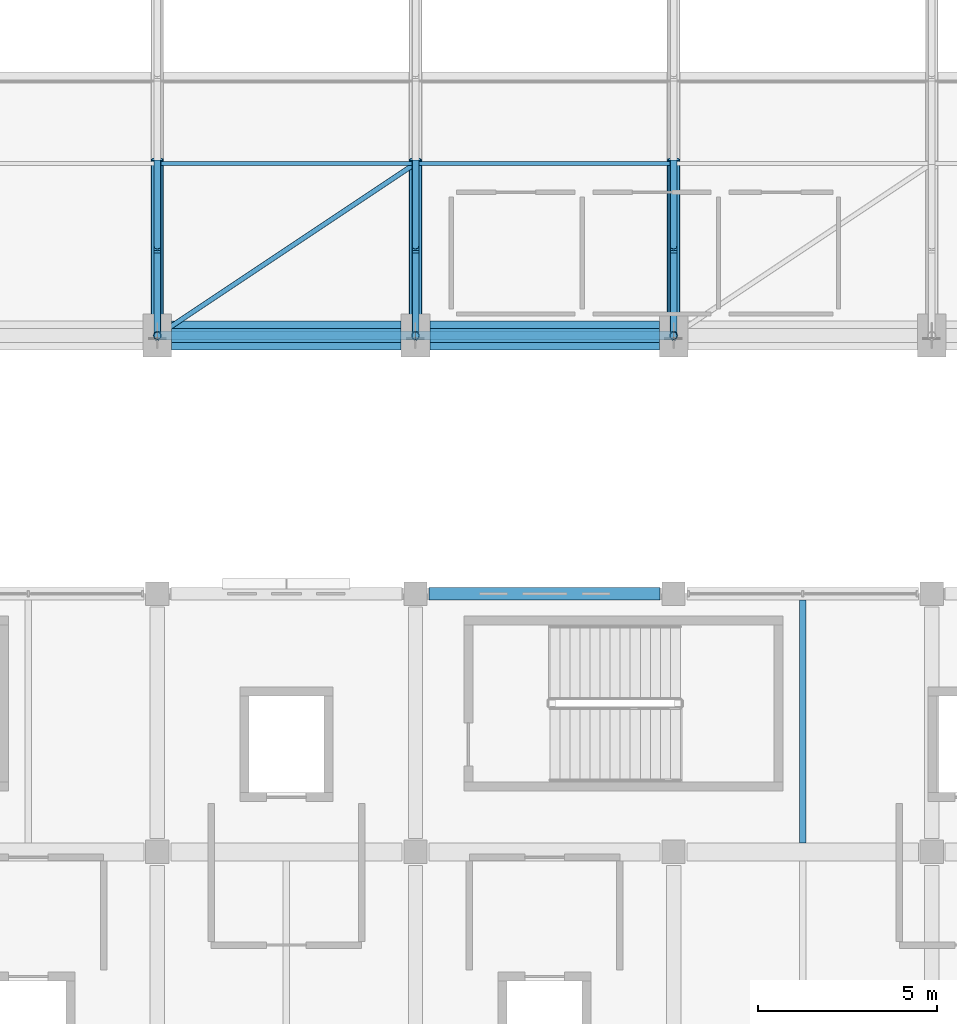
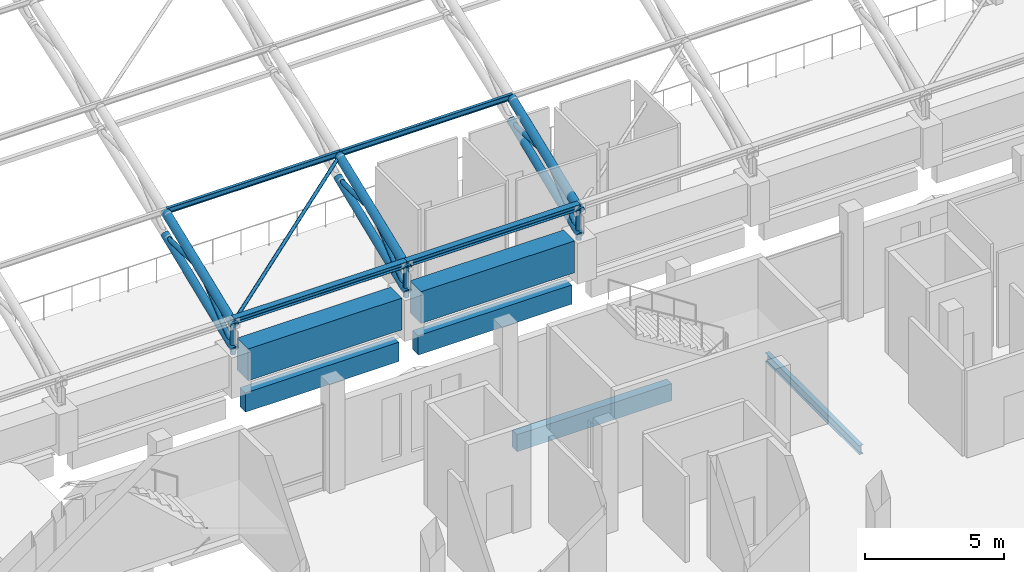
# One storey, part 32 of 116: 20 members, 6 beams.
"""IFC4 building model written with IfcOpenShell, lengths in metres."""

import ifcopenshell
import ifcopenshell.guid

model = None  # the IFC model being written
_history = None  # IfcOwnerHistory: only IFC2X3 demands one
_inside = {}  # id of a spatial element -> (the spatial element, [elements in it])
_under = {}  # id of a project, library or spatial element -> (it, [spatial elements below it])
_declared = {}  # id of a project -> (the project, [libraries it declares])
_typed = {}  # id of a type object -> (the type object, [elements of that type])
_made_of = {}  # id of a material, layer set ... -> (it, [elements and type objects made of it])


def new_model(schema):
    """Start an empty IFC model of exactly this schema.

    Asked for "IFC4X3", IfcOpenShell would pick the latest addendum, in which some entities
    have other attributes; the version numbers below select the first issue.
    IFC2X3 requires an IfcOwnerHistory on every rooted entity: one is made here for all.
    """
    global model, _history
    if schema == "IFC4X3":
        model = ifcopenshell.file(schema_version=(4, 3, 0, 0))
    else:
        model = ifcopenshell.file(schema=schema)
    _inside.clear()
    _under.clear()
    _declared.clear()
    _typed.clear()
    _made_of.clear()
    _history = None
    if model.schema == "IFC2X3":
        org = make("IfcOrganization", Name="unknown")
        user = make(
            "IfcPersonAndOrganization",
            ThePerson=make("IfcPerson", FamilyName="unknown"),
            TheOrganization=org,
        )
        app = make(
            "IfcApplication",
            ApplicationDeveloper=org,
            Version="unknown",
            ApplicationFullName="unknown",
            ApplicationIdentifier="unknown",
        )
        _history = make(
            "IfcOwnerHistory",
            OwningUser=user,
            OwningApplication=app,
            ChangeAction="ADDED",
            CreationDate=0,
        )
    return model


def make(cls, **values):
    """One entity of the class cls with the attributes given. An attribute that is None is left unset."""
    return model.create_entity(
        cls, **{name: value for name, value in values.items() if value is not None}
    )


def rooted(cls, **values):
    """An entity with a GlobalId (a new one), such as an element, a storey or a relation."""
    return make(cls, GlobalId=ifcopenshell.guid.new(), OwnerHistory=_history, **values)


def si_unit(unit_type, name, prefix=None):
    """IfcSIUnit, for example si_unit("LENGTHUNIT", "METRE", prefix="MILLI")."""
    return make("IfcSIUnit", UnitType=unit_type, Prefix=prefix, Name=name)


def assignment(units):
    """IfcUnitAssignment: the units of a project."""
    return None if units is None else make("IfcUnitAssignment", Units=units)


def point(xyz):
    """IfcCartesianPoint."""
    return None if xyz is None else make("IfcCartesianPoint", Coordinates=xyz)


def direction(xyz):
    """IfcDirection."""
    return None if xyz is None else make("IfcDirection", DirectionRatios=xyz)


def frame(location, z_axis=None, x_axis=None):
    """IfcAxis2Placement3D, a coordinate frame: its origin and axes. An axis left out is left unset."""
    return make(
        "IfcAxis2Placement3D",
        Location=point(location),
        Axis=direction(z_axis),
        RefDirection=direction(x_axis),
    )


def frame_2d(location, x_axis=None):
    """IfcAxis2Placement2D, a coordinate frame in the plane: its origin and x axis."""
    return make(
        "IfcAxis2Placement2D", Location=point(location), RefDirection=direction(x_axis)
    )


def origin():
    """The frame at (0, 0, 0) with its axes left unset."""
    return frame((0.0, 0.0, 0.0))


def origin_2d():
    """The frame at (0, 0) in the plane with its x axis left unset."""
    return frame_2d((0.0, 0.0))


def place(relative_to, where):
    """IfcLocalPlacement: puts the frame where relative to a parent placement (None: the world)."""
    return make(
        "IfcLocalPlacement", PlacementRelTo=relative_to, RelativePlacement=where
    )


def context(
    kind, dimensions, precision=None, world=None, true_north=None, identifier=None
):
    """IfcGeometricRepresentationContext, for example the 3D "Model" context."""
    return make(
        "IfcGeometricRepresentationContext",
        ContextIdentifier=identifier,
        ContextType=kind,
        CoordinateSpaceDimension=dimensions,
        Precision=precision,
        WorldCoordinateSystem=world,
        TrueNorth=true_north,
    )


def subcontext(parent, identifier, kind, view, scale=None):
    """IfcGeometricRepresentationSubContext, for example "Body" below "Model"."""
    return make(
        "IfcGeometricRepresentationSubContext",
        ContextIdentifier=identifier,
        ContextType=kind,
        ParentContext=parent,
        TargetScale=scale,
        TargetView=view,
    )


def project(units=None, contexts=None):
    """IfcProject with its units and contexts."""
    return rooted(
        "IfcProject",
        Name="project",
        RepresentationContexts=contexts,
        UnitsInContext=assignment(units),
    )


def spatial(cls, under=None, at=None, **own):
    """A site, building, storey or space (cls), placed at a placement, below another one or the project."""
    s = rooted(cls, ObjectPlacement=at, **own)
    if under is not None:
        _under.setdefault(under.id(), (under, []))[1].append(s)
    return s


def profile(cls, at=None, kind="AREA", **sizes):
    """A parametric profile (cls). Its sizes go by their IFC names, for example OverallWidth=200.0."""
    return make(cls, ProfileType=kind, Position=at, **sizes)


def rectangle(**sizes):
    """IfcRectangleProfileDef."""
    return profile("IfcRectangleProfileDef", **sizes)


def hollow_circle(**sizes):
    """IfcCircleHollowProfileDef."""
    return profile("IfcCircleHollowProfileDef", **sizes)


def i_section(**sizes):
    """IfcIShapeProfileDef."""
    return profile("IfcIShapeProfileDef", **sizes)


def extrude(swept, where, along, depth):
    """IfcExtrudedAreaSolid: the profile swept, set in the frame where, extruded along a direction by depth."""
    return make(
        "IfcExtrudedAreaSolid",
        SweptArea=swept,
        Position=where,
        ExtrudedDirection=direction(along),
        Depth=depth,
    )


def shape(context_of_items, identifier, shape_type, items):
    """IfcShapeRepresentation: the items that make up one representation, for example the "Body"."""
    return make(
        "IfcShapeRepresentation",
        ContextOfItems=context_of_items,
        RepresentationIdentifier=identifier,
        RepresentationType=shape_type,
        Items=items,
    )


def material(Name=None, Category=None):
    """IfcMaterial."""
    return make("IfcMaterial", Name=Name, Category=Category)


def material_profile(
    of_material, cross_section, Name=None, Category=None, Priority=None
):
    """IfcMaterialProfile: a cross section and its material."""
    return make(
        "IfcMaterialProfile",
        Name=Name,
        Material=of_material,
        Profile=cross_section,
        Priority=Priority,
        Category=Category,
    )


def profile_set(profiles, Name=None, composite=None):
    """IfcMaterialProfileSet."""
    return make(
        "IfcMaterialProfileSet",
        Name=Name,
        MaterialProfiles=profiles,
        CompositeProfile=composite,
    )


def made_of(thing, what):
    """Note that an element or type object is made of a material, layer set ...; save() writes the relation."""
    if what is not None:
        _made_of.setdefault(what.id(), (what, []))[1].append(thing)
    return thing


def type_object(cls, material=None, **own):
    """A type object (cls), such as IfcWallType, which elements share."""
    return made_of(rooted(cls, **own), material)


def element(
    cls,
    number,
    at=None,
    inside=None,
    cuts=None,
    type_object=None,
    material=None,
    context=None,
    identifier="Body",
    shape_type=None,
    held_by="IfcProductDefinitionShape",
    body=None,
    shapes=None,
    **own,
):
    """One element of the class cls, such as IfcWall. Its Tag is "e" and its number.

    at: its placement. inside: the storey or other place that contains it. cuts: it is an
    opening in that element (IfcRelVoidsElement). A single representation is given by context,
    identifier, shape_type and body (its items); several are given by shapes. held_by: the class
    of the entity that holds the representations. save() writes the other relations.
    """
    e = rooted(cls, Tag="e%d" % number, ObjectPlacement=at, **own)
    if body is not None:
        shapes = [shape(context, identifier, shape_type, body)]
    if shapes is not None:
        e.Representation = make(held_by, Representations=shapes)
    if inside is not None:
        _inside.setdefault(inside.id(), (inside, []))[1].append(e)
    if cuts is not None:
        rooted(
            "IfcRelVoidsElement", RelatingBuildingElement=cuts, RelatedOpeningElement=e
        )
    if type_object is not None:
        _typed.setdefault(type_object.id(), (type_object, []))[1].append(e)
    return made_of(e, material)


def aggregate(whole, parts):
    """IfcRelAggregates: a whole, such as a stair, and the parts it consists of."""
    return rooted("IfcRelAggregates", RelatingObject=whole, RelatedObjects=parts)


def save(model, path):
    """Write the relations noted so far, then the file.

    IfcRelAggregates (storeys below a building ...), IfcRelContainedInSpatialStructure (elements
    in a storey), IfcRelDefinesByType, IfcRelAssociatesMaterial and IfcRelDeclares: one each for
    every whole, place, type object, material and project.
    """
    for whole, parts in _under.values():
        aggregate(whole, parts)
    for where, things in _inside.values():
        rooted(
            "IfcRelContainedInSpatialStructure",
            RelatedElements=things,
            RelatingStructure=where,
        )
    for kind, things in _typed.values():
        rooted("IfcRelDefinesByType", RelatedObjects=things, RelatingType=kind)
    for what, things in _made_of.values():
        rooted("IfcRelAssociatesMaterial", RelatedObjects=things, RelatingMaterial=what)
    for by, libraries in _declared.values():
        rooted("IfcRelDeclares", RelatingContext=by, RelatedDefinitions=libraries)
    model.write(path)


model = new_model("IFC4")

# Units and contexts
model_context = context("Model", 3, precision=1e-05, world=origin(), true_north=direction((0.0, 1.0)))
body_context = subcontext(model_context, "Body", "Model", "MODEL_VIEW")
ifc_project = project(units=[si_unit("LENGTHUNIT", "METRE"), si_unit("AREAUNIT", "SQUARE_METRE"), si_unit("VOLUMEUNIT", "CUBIC_METRE"), si_unit("PLANEANGLEUNIT", "RADIAN"), si_unit("MASSUNIT", "GRAM", prefix="KILO")], contexts=[model_context])

# Site, building, storey
site_placement = place(None, origin())
site = spatial("IfcSite", under=ifc_project, at=site_placement, CompositionType="ELEMENT")
building_placement = place(site_placement, origin())
building = spatial("IfcBuilding", under=site, at=building_placement, Name="Cendralis Lancet Convention Centre", CompositionType="ELEMENT")
storey_placement = place(building_placement, frame((0.0, 0.0, 15.0)))
storey = spatial("IfcBuildingStorey", under=building, at=storey_placement, Name="L03", CompositionType="ELEMENT", Elevation=15.0)

# Beams
ifc_material_1 = material(Name="Concrete G40 (C40/50)", Category="concrete")
ifc_material_profile_1 = material_profile(ifc_material_1, rectangle(XDim=0.800048828125, YDim=1.39990234375, at=origin_2d()), Name="RCB 800x1400")
ifc_profile_set_1 = profile_set([ifc_material_profile_1], Name="Concrete G40 (C40/50)")
beam_type_1 = type_object("IfcBeamType", Name="STR-BM-BG17", PredefinedType="BEAM", material=ifc_profile_set_1)
for number, where, z_axis, x_axis, name in (
    (1, (161.199951171875, 43.199951171875, 1.10009765625), (1.0, 0.0, 0.0), (0.0, 1.0, 0.0), "L03 Beam BG17 #1562"),
    (2, (168.39990234375, 43.199951171875, 1.10009765625), (1.0, 0.0, 0.0), (0.0, 1.0, 0.0), "L03 Beam BG17 #1563"),
):
    element("IfcBeam", number, at=place(storey_placement, frame(where, z_axis=z_axis, x_axis=x_axis)), inside=storey, type_object=beam_type_1, Name=name, PredefinedType="BEAM", context=body_context, shape_type="SweptSolid", body=[
        extrude(rectangle(XDim=0.800048828125, YDim=1.39990234375, at=origin_2d()), origin(), (0.0, 0.0, 1.0), 6.400146484375),
    ])

# Member
ifc_material_2 = material(Name="Steel S355", Category="steel")
ifc_material_profile_2 = material_profile(ifc_material_2, hollow_circle(Radius=0.06982421875, WallThickness=0.00634765625, at=origin_2d()), Name="CHS 139.7x6.3")
ifc_profile_set_2 = profile_set([ifc_material_profile_2], Name="Steel S355")
member_type_1 = type_object("IfcMemberType", Name="STR-BR-RB02", PredefinedType="BRACE", material=ifc_profile_set_2)
member_1_placement = place(storey_placement, frame((160.800048828125, 43.199951171875, 2.85009765625), z_axis=(0.812601866984, 0.541743762733, 0.214923012528), x_axis=(-0.554706707029, 0.832045953765, 0.0)))
element("IfcMember", 3, at=member_1_placement, inside=storey, type_object=member_type_1, Name="Roof Diaphragm Brace RB02 V2-03-00A", PredefinedType="BRACE", context=body_context, shape_type="SweptSolid", body=[
    extrude(hollow_circle(Radius=0.06982421875, WallThickness=0.00634765625, at=origin_2d()), origin(), (0.0, 0.0, 1.0), 8.8603515625),
])

# Beam
ifc_material_profile_3 = material_profile(ifc_material_2, i_section(OverallWidth=0.179931640625, OverallDepth=0.39990234375, WebThickness=0.008544921875, FlangeThickness=0.013427734375, FilletRadius=0.02099609375, at=origin_2d()), Name="IPE 400")
ifc_profile_set_3 = profile_set([ifc_material_profile_3], Name="Steel S355")
beam_type_2 = type_object("IfcBeamType", Name="STR-JS-BJ08", PredefinedType="JOIST", material=ifc_profile_set_3)
beam_1_placement = place(storey_placement, frame((178.800048828125, 29.050048828125, -0.4599609375), z_axis=(0.0, 1.0, 0.0), x_axis=(-1.0, 0.0, 0.0)))
element("IfcBeam", 4, at=beam_1_placement, inside=storey, type_object=beam_type_2, Name="L03 Beam BJ08 #0493", PredefinedType="JOIST", context=body_context, shape_type="SweptSolid", body=[
    extrude(i_section(OverallWidth=0.179931640625, OverallDepth=0.39990234375, WebThickness=0.008544921875, FlangeThickness=0.013427734375, FilletRadius=0.02099609375, at=origin_2d()), origin(), (0.0, 0.0, 1.0), 6.77490234375),
])

# Members
ifc_material_profile_4 = material_profile(ifc_material_2, i_section(OverallWidth=0.1201171875, OverallDepth=0.239990234375, WebThickness=0.006103515625, FlangeThickness=0.009765625, FilletRadius=0.014892578125, at=origin_2d()), Name="IPE 240")
ifc_profile_set_4 = profile_set([ifc_material_profile_4], Name="Steel S355")
member_type_2 = type_object("IfcMemberType", Name="STR-PR-PR02", PredefinedType="PURLIN", material=ifc_profile_set_4)
for number, where, z_axis, x_axis, name in (
    (5, (160.800048828125, 48.0, 4.884521484375), (1.0, 0.0, 0.0), (0.0, 1.0, 0.0), "Vault Roof Purlin PR02 V2-03-01"),
    (6, (168.0, 48.0, 4.884521484375), (1.0, 0.0, 0.0), (0.0, 1.0, 0.0), "Vault Roof Purlin PR02 V2-04-01"),
):
    element("IfcMember", number, at=place(storey_placement, frame(where, z_axis=z_axis, x_axis=x_axis)), inside=storey, type_object=member_type_2, Name=name, PredefinedType="PURLIN", context=body_context, shape_type="SweptSolid", body=[
        extrude(i_section(OverallWidth=0.1201171875, OverallDepth=0.239990234375, WebThickness=0.006103515625, FlangeThickness=0.009765625, FilletRadius=0.014892578125, at=origin_2d()), origin(), (0.0, 0.0, 1.0), 7.199951171875),
    ])
ifc_material_profile_5 = material_profile(ifc_material_2, i_section(OverallWidth=0.260009765625, OverallDepth=0.25, WebThickness=0.007568359375, FlangeThickness=0.012451171875, FilletRadius=0.02392578125, at=origin_2d()), Name="HEA 260")
ifc_profile_set_5 = profile_set([ifc_material_profile_5], Name="Steel S355")
member_type_3 = type_object("IfcMemberType", Name="STR-PR-PR07", PredefinedType="PURLIN", material=ifc_profile_set_5)
for number, where, z_axis, x_axis, name in (
    (7, (160.800048828125, 43.199951171875, 2.97509765625), (1.0, 0.0, 0.0), (0.0, 1.0, 0.0), "Vault Roof Purlin PR07 V2-03-00"),
    (8, (168.0, 43.199951171875, 2.97509765625), (1.0, 0.0, 0.0), (0.0, 1.0, 0.0), "Vault Roof Purlin PR07 V2-04-00"),
):
    element("IfcMember", number, at=place(storey_placement, frame(where, z_axis=z_axis, x_axis=x_axis)), inside=storey, type_object=member_type_3, Name=name, PredefinedType="PURLIN", context=body_context, shape_type="SweptSolid", body=[
        extrude(i_section(OverallWidth=0.260009765625, OverallDepth=0.25, WebThickness=0.007568359375, FlangeThickness=0.012451171875, FilletRadius=0.02392578125, at=origin_2d()), origin(), (0.0, 0.0, 1.0), 7.199951171875),
    ])

# Beams
ifc_material_profile_6 = material_profile(ifc_material_1, rectangle(XDim=0.35009765625, YDim=0.75, at=origin_2d()), Name="RCB 350x750")
ifc_profile_set_6 = profile_set([ifc_material_profile_6], Name="Concrete G40 (C40/50)")
beam_type_3 = type_object("IfcBeamType", Name="STR-SP-SP01", PredefinedType="SPANDREL", material=ifc_profile_set_6)
beam_2_placement = place(storey_placement, frame((168.375, 36.0, -0.635009765625), z_axis=(1.0, 0.0, 0.0), x_axis=(0.0, 1.0, 0.0)))
element("IfcBeam", 9, at=beam_2_placement, inside=storey, type_object=beam_type_3, Name="L03 Beam SP01 #0424", PredefinedType="SPANDREL", context=body_context, shape_type="SweptSolid", body=[
    extrude(rectangle(XDim=0.35009765625, YDim=0.75, at=origin_2d()), origin(), (0.0, 0.0, 1.0), 6.449951171875),
])
ifc_material_profile_7 = material_profile(ifc_material_1, rectangle(XDim=0.39990234375, YDim=0.85009765625, at=origin_2d()), Name="RCB 400x850")
ifc_profile_set_7 = profile_set([ifc_material_profile_7], Name="Concrete G40 (C40/50)")
beam_type_4 = type_object("IfcBeamType", Name="STR-SP-SP02", PredefinedType="SPANDREL", material=ifc_profile_set_7)
for number, where, z_axis, x_axis, name in (
    (10, (161.199951171875, 43.199951171875, -0.68505859375), (1.0, 0.0, 0.0), (0.0, 1.0, 0.0), "L03 Beam SP02 #1507"),
    (11, (168.39990234375, 43.199951171875, -0.68505859375), (1.0, 0.0, 0.0), (0.0, 1.0, 0.0), "L03 Beam SP02 #1508"),
):
    element("IfcBeam", number, at=place(storey_placement, frame(where, z_axis=z_axis, x_axis=x_axis)), inside=storey, type_object=beam_type_4, Name=name, PredefinedType="SPANDREL", context=body_context, shape_type="SweptSolid", body=[
        extrude(rectangle(XDim=0.39990234375, YDim=0.85009765625, at=origin_2d()), origin(), (0.0, 0.0, 1.0), 6.400146484375),
    ])

# Members
ifc_material_profile_8 = material_profile(ifc_material_2, hollow_circle(Radius=0.161865234375, WallThickness=0.01416015625, at=origin_2d()), Name="CHS 323.9x14.2")
ifc_profile_set_8 = profile_set([ifc_material_profile_8], Name="Steel S355")
member_type_4 = type_object("IfcMemberType", Name="STR-TR-BC02-INT", PredefinedType="CHORD", material=ifc_profile_set_8)
for number, where, z_axis, x_axis, name in (
    (12, (160.800048828125, 43.088623046875, 1.755126953125), (0.0, 0.927278249077, 0.374372874002), (-1.0, 0.0, 0.0), "ROOF TRUSS AT-V2-04 Bottom Chord 00"),
    (13, (168.0, 43.088623046875, 1.755126953125), (0.0, 0.927278249077, 0.374372874002), (-1.0, 0.0, 0.0), "ROOF TRUSS AT-V2-05 Bottom Chord 00"),
    (14, (175.199951171875, 43.088623046875, 1.755126953125), (0.0, 0.927278249077, 0.374372874002), (-1.0, 0.0, 0.0), "ROOF TRUSS AT-V2-06 Bottom Chord 00"),
):
    element("IfcMember", number, at=place(storey_placement, frame(where, z_axis=z_axis, x_axis=x_axis)), inside=storey, type_object=member_type_4, Name=name, PredefinedType="CHORD", context=body_context, shape_type="SweptSolid", body=[
        extrude(hollow_circle(Radius=0.161865234375, WallThickness=0.01416015625, at=origin_2d()), origin(), (0.0, 0.0, 1.0), 5.41650390625),
    ])
ifc_material_profile_9 = material_profile(ifc_material_2, hollow_circle(Radius=0.177734375, WallThickness=0.01611328125, at=origin_2d()), Name="CHS 355.6x16.0")
ifc_profile_set_9 = profile_set([ifc_material_profile_9], Name="Steel S355")
member_type_5 = type_object("IfcMemberType", Name="STR-TR-TC02-INT", PredefinedType="CHORD", material=ifc_profile_set_9)
for number, where, z_axis, x_axis, name in (
    (15, (160.800048828125, 43.08837890625, 2.8056640625), (0.0, 0.929501282069, 0.368818880525), (-1.0, 0.0, 0.0), "ROOF TRUSS AT-V2-04 Top Chord 00"),
    (16, (168.0, 43.08837890625, 2.8056640625), (0.0, 0.929501282069, 0.368818880525), (-1.0, 0.0, 0.0), "ROOF TRUSS AT-V2-05 Top Chord 00"),
    (17, (175.199951171875, 43.08837890625, 2.8056640625), (0.0, 0.929501282069, 0.368818880525), (-1.0, 0.0, 0.0), "ROOF TRUSS AT-V2-06 Top Chord 00"),
):
    element("IfcMember", number, at=place(storey_placement, frame(where, z_axis=z_axis, x_axis=x_axis)), inside=storey, type_object=member_type_5, Name=name, PredefinedType="CHORD", context=body_context, shape_type="SweptSolid", body=[
        extrude(hollow_circle(Radius=0.177734375, WallThickness=0.01611328125, at=origin_2d()), origin(), (0.0, 0.0, 1.0), 5.404296875),
    ])
ifc_material_profile_10 = material_profile(ifc_material_2, hollow_circle(Radius=0.096923828125, WallThickness=0.008056640625, at=origin_2d()), Name="CHS 193.7x8.0")
ifc_profile_set_10 = profile_set([ifc_material_profile_10], Name="Steel S355")
member_type_6 = type_object("IfcMemberType", Name="STR-TR-WD02-INT", PredefinedType="BRACE", material=ifc_profile_set_10)
member_2_placement = place(storey_placement, frame((160.800048828125, 43.123291015625, 1.73583984375), z_axis=(0.0, 0.767817962022, 0.640668070998), x_axis=(-1.0, 0.0, 0.0)))
element("IfcMember", 18, at=member_2_placement, inside=storey, type_object=member_type_6, Name="ROOF TRUSS AT-V2-04 Warren Web 00-0", PredefinedType="BRACE", context=body_context, shape_type="SweptSolid", body=[
    extrude(hollow_circle(Radius=0.096923828125, WallThickness=0.008056640625, at=origin_2d()), origin(), (0.0, 0.0, 1.0), 3.32568359375),
])
member_3_placement = place(storey_placement, frame((160.800048828125, 45.5, 3.804931640625), z_axis=(0.0, 0.999642128324, -0.026750986533), x_axis=(-1.0, 0.0, 0.0)))
element("IfcMember", 19, at=member_3_placement, inside=storey, type_object=member_type_6, Name="ROOF TRUSS AT-V2-04 Warren Web 00-1", PredefinedType="BRACE", context=body_context, shape_type="SweptSolid", body=[
    extrude(hollow_circle(Radius=0.096923828125, WallThickness=0.008056640625, at=origin_2d()), origin(), (0.0, 0.0, 1.0), 2.60107421875),
])
member_4_placement = place(storey_placement, frame((168.0, 43.123291015625, 1.73583984375), z_axis=(0.0, 0.767817962022, 0.640668070998), x_axis=(-1.0, 0.0, 0.0)))
element("IfcMember", 20, at=member_4_placement, inside=storey, type_object=member_type_6, Name="ROOF TRUSS AT-V2-05 Warren Web 00-0", PredefinedType="BRACE", context=body_context, shape_type="SweptSolid", body=[
    extrude(hollow_circle(Radius=0.096923828125, WallThickness=0.008056640625, at=origin_2d()), origin(), (0.0, 0.0, 1.0), 3.32568359375),
])
member_5_placement = place(storey_placement, frame((168.0, 45.5, 3.804931640625), z_axis=(0.0, 0.999642128324, -0.026750986533), x_axis=(-1.0, 0.0, 0.0)))
element("IfcMember", 21, at=member_5_placement, inside=storey, type_object=member_type_6, Name="ROOF TRUSS AT-V2-05 Warren Web 00-1", PredefinedType="BRACE", context=body_context, shape_type="SweptSolid", body=[
    extrude(hollow_circle(Radius=0.096923828125, WallThickness=0.008056640625, at=origin_2d()), origin(), (0.0, 0.0, 1.0), 2.60107421875),
])
member_6_placement = place(storey_placement, frame((175.199951171875, 43.123291015625, 1.73583984375), z_axis=(0.0, 0.767817962022, 0.640668070998), x_axis=(-1.0, 0.0, 0.0)))
element("IfcMember", 22, at=member_6_placement, inside=storey, type_object=member_type_6, Name="ROOF TRUSS AT-V2-06 Warren Web 00-0", PredefinedType="BRACE", context=body_context, shape_type="SweptSolid", body=[
    extrude(hollow_circle(Radius=0.096923828125, WallThickness=0.008056640625, at=origin_2d()), origin(), (0.0, 0.0, 1.0), 3.32568359375),
])
member_7_placement = place(storey_placement, frame((175.199951171875, 45.5, 3.804931640625), z_axis=(0.0, 0.999642128324, -0.026750986533), x_axis=(-1.0, 0.0, 0.0)))
element("IfcMember", 23, at=member_7_placement, inside=storey, type_object=member_type_6, Name="ROOF TRUSS AT-V2-06 Warren Web 00-1", PredefinedType="BRACE", context=body_context, shape_type="SweptSolid", body=[
    extrude(hollow_circle(Radius=0.096923828125, WallThickness=0.008056640625, at=origin_2d()), origin(), (0.0, 0.0, 1.0), 2.60107421875),
])
ifc_material_profile_11 = material_profile(ifc_material_2, hollow_circle(Radius=0.109619140625, WallThickness=0.010009765625, at=origin_2d()), Name="CHS 219.1x10.0")
ifc_profile_set_11 = profile_set([ifc_material_profile_11], Name="Steel S355")
member_type_7 = type_object("IfcMemberType", Name="STR-TR-WV02-INT", PredefinedType="POST", material=ifc_profile_set_11)
for number, where, z_axis, x_axis, name in (
    (24, (160.800048828125, 43.199951171875, 1.5), (0.0, 0.0, 1.0), (1.0, 0.0, 0.0), "ROOF TRUSS AT-V2-04 Springing Post N00"),
    (25, (168.0, 43.199951171875, 1.5), (0.0, 0.0, 1.0), (1.0, 0.0, 0.0), "ROOF TRUSS AT-V2-05 Springing Post N00"),
    (26, (175.199951171875, 43.199951171875, 1.5), (0.0, 0.0, 1.0), (1.0, 0.0, 0.0), "ROOF TRUSS AT-V2-06 Springing Post N00"),
):
    element("IfcMember", number, at=place(storey_placement, frame(where, z_axis=z_axis, x_axis=x_axis)), inside=storey, type_object=member_type_7, Name=name, PredefinedType="POST", context=body_context, shape_type="SweptSolid", body=[
        extrude(hollow_circle(Radius=0.109619140625, WallThickness=0.010009765625, at=origin_2d()), origin(), (0.0, 0.0, 1.0), 1.570068359375),
    ])

save(model, "model.ifc")
